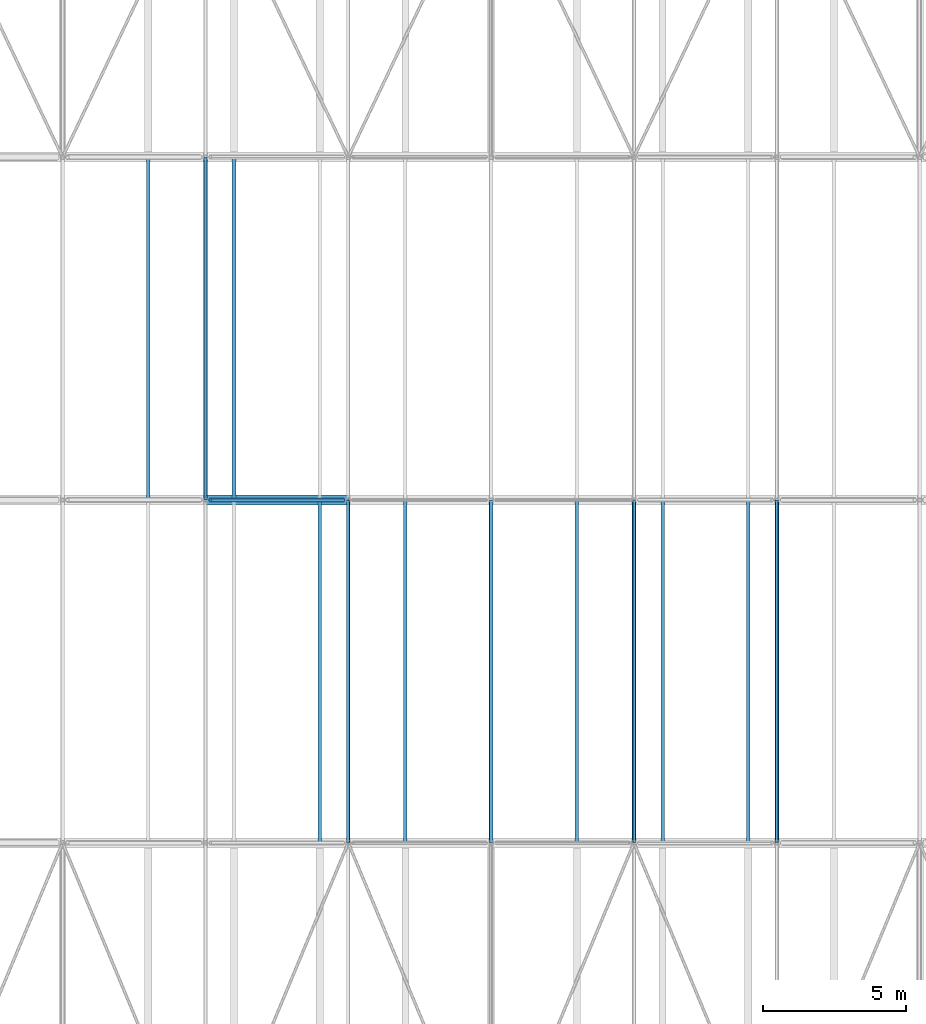
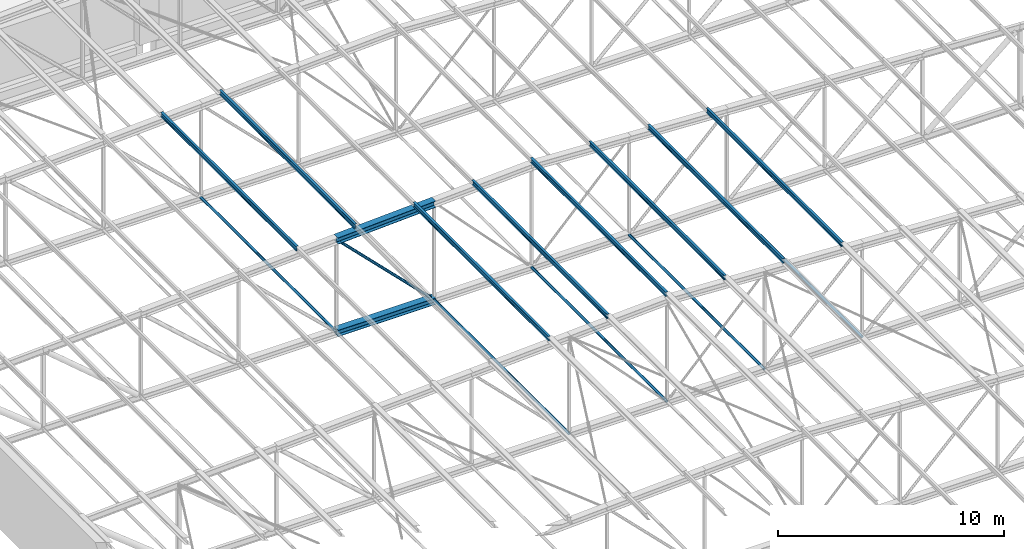
# One storey, part 108 of 156: 16 members.
"""IFC4 building model written with IfcOpenShell, lengths in metres."""

from ifc_helpers import new_model, si_unit, direction, frame, origin, origin_2d, place, context, subcontext, project, spatial, hollow_circle, i_section, extrude, material, material_profile, profile_set, type_object, element, save


model = new_model("IFC4")

# Units and contexts
model_context = context("Model", 3, precision=1e-05, world=origin(), true_north=direction((0.0, 1.0)))
body_context = subcontext(model_context, "Body", "Model", "MODEL_VIEW")
ifc_project = project(units=[si_unit("LENGTHUNIT", "METRE"), si_unit("AREAUNIT", "SQUARE_METRE"), si_unit("VOLUMEUNIT", "CUBIC_METRE"), si_unit("PLANEANGLEUNIT", "RADIAN"), si_unit("MASSUNIT", "GRAM", prefix="KILO")], contexts=[model_context])

# Site, building, storey
site_placement = place(None, origin())
site = spatial("IfcSite", under=ifc_project, at=site_placement, CompositionType="ELEMENT")
building_placement = place(site_placement, origin())
building = spatial("IfcBuilding", under=site, at=building_placement, Name="Lilac Gate Convention Centre", CompositionType="ELEMENT")
storey_placement = place(building_placement, frame((0.0, 0.0, 17.0)))
storey = spatial("IfcBuildingStorey", under=building, at=storey_placement, Name="L03", CompositionType="ELEMENT", Elevation=17.0)

# Members
ifc_material = material(Name="Steel Q355B", Category="steel")
ifc_material_profile_1 = material_profile(ifc_material, hollow_circle(Radius=0.06982421875, WallThickness=0.0048828125, at=origin_2d()), Name="CHS139.7x5")
ifc_profile_set_1 = profile_set([ifc_material_profile_1], Name="Steel Q355B")
member_type_1 = type_object("IfcMemberType", Name="Bottom chord tie CHS139.7x5", PredefinedType="STRUT", material=ifc_profile_set_1)
for number, where, z_axis, x_axis, name in (
    (1, (55.0, 186.009521484375, 0.0), (0.0, 1.0, 0.0), (-1.0, 0.0, 0.0), "ST1 tie bay 14 node 6"),
    (2, (60.0, 186.009521484375, 0.0), (0.0, 1.0, 0.0), (-1.0, 0.0, 0.0), "ST1 tie bay 14 node 7"),
    (3, (65.0, 186.009521484375, 0.0), (0.0, 1.0, 0.0), (-1.0, 0.0, 0.0), "ST1 tie bay 14 node 8"),
):
    element("IfcMember", number, at=place(storey_placement, frame(where, z_axis=z_axis, x_axis=x_axis)), inside=storey, type_object=member_type_1, Name=name, PredefinedType="STRUT", context=body_context, shape_type="SweptSolid", body=[
        extrude(hollow_circle(Radius=0.06982421875, WallThickness=0.0048828125, at=origin_2d()), origin(), (0.0, 0.0, 1.0), 11.98095703125),
    ])
for number, where, z_axis, x_axis, name in (
    (4, (70.0, 186.006103515625, 0.0), (0.0, 1.0, 0.0), (-1.0, 0.0, 0.0), "ST1 tie bay 14 node 9"),
    (5, (50.0, 198.006103515625, 0.0), (0.0, 1.0, 0.0), (-1.0, 0.0, 0.0), "ST1 tie bay 15 node 5"),
):
    element("IfcMember", number, at=place(storey_placement, frame(where, z_axis=z_axis, x_axis=x_axis)), inside=storey, type_object=member_type_1, Name=name, PredefinedType="STRUT", context=body_context, shape_type="SweptSolid", body=[
        extrude(hollow_circle(Radius=0.06982421875, WallThickness=0.0048828125, at=origin_2d()), origin(), (0.0, 0.0, 1.0), 11.98779296875),
    ])
ifc_material_profile_2 = material_profile(ifc_material, i_section(OverallWidth=0.125, OverallDepth=0.25, WebThickness=0.006103515625, FlangeThickness=0.009033203125, FilletRadius=0.008056640625, at=origin_2d()), Name="HN250x125x6x9")
ifc_profile_set_2 = profile_set([ifc_material_profile_2], Name="Steel Q355B")
member_type_2 = type_object("IfcMemberType", Name="Roof purlin HN250x125x6x9", PredefinedType="PURLIN", material=ifc_profile_set_2)
for number, where, z_axis, x_axis, name in (
    (6, (54.0, 186.0, 5.500244140625), (0.0, 1.0, 0.0), (-1.0, 0.0, 0.0), "PU2 purlin bay 14 line 9"),
    (7, (57.0, 186.0, 5.650146484375), (0.0, 1.0, 0.0), (-1.0, 0.0, 0.0), "PU2 purlin bay 14 line 10"),
    (8, (60.0, 186.0, 5.80029296875), (0.0, 1.0, 0.0), (-1.0, 0.0, 0.0), "PU2 purlin bay 14 line 11"),
    (9, (63.0, 186.0, 5.650146484375), (0.0, 1.0, 0.0), (-1.0, 0.0, 0.0), "PU2 purlin bay 14 line 12"),
    (10, (66.0, 186.0, 5.500244140625), (0.0, 1.0, 0.0), (-1.0, 0.0, 0.0), "PU2 purlin bay 14 line 13"),
    (11, (69.0, 186.0, 5.35009765625), (0.0, 1.0, 0.0), (-1.0, 0.0, 0.0), "PU2 purlin bay 14 line 14"),
    (12, (48.0, 198.0, 5.2001953125), (0.0, 1.0, 0.0), (-1.0, 0.0, 0.0), "PU2 purlin bay 15 line 7"),
    (13, (51.0, 198.0, 5.35009765625), (0.0, 1.0, 0.0), (-1.0, 0.0, 0.0), "PU2 purlin bay 15 line 8"),
):
    element("IfcMember", number, at=place(storey_placement, frame(where, z_axis=z_axis, x_axis=x_axis)), inside=storey, type_object=member_type_2, Name=name, PredefinedType="PURLIN", context=body_context, shape_type="SweptSolid", body=[
        extrude(i_section(OverallWidth=0.125, OverallDepth=0.25, WebThickness=0.006103515625, FlangeThickness=0.009033203125, FilletRadius=0.008056640625, at=origin_2d()), origin(), (0.0, 0.0, 1.0), 12.0),
    ])
ifc_material_profile_3 = material_profile(ifc_material, i_section(OverallWidth=0.35693359375, OverallDepth=0.35009765625, WebThickness=0.01904296875, FlangeThickness=0.01904296875, FilletRadius=0.012939453125, at=origin_2d()), Name="HW350x357x19x19")
ifc_profile_set_3 = profile_set([ifc_material_profile_3], Name="Steel Q355B")
member_type_3 = type_object("IfcMemberType", Name="Truss bottom chord HW350x357x19x19", PredefinedType="CHORD", material=ifc_profile_set_3)
member_1_placement = place(storey_placement, frame((50.0, 198.0, 0.0), z_axis=(1.0, 0.0, 0.0), x_axis=(0.0, 1.0, 0.0)))
element("IfcMember", 14, at=member_1_placement, inside=storey, type_object=member_type_3, Name="TB3 truss 15 bottom chord 5", PredefinedType="CHORD", context=body_context, shape_type="SweptSolid", body=[
    extrude(i_section(OverallWidth=0.35693359375, OverallDepth=0.35009765625, WebThickness=0.01904296875, FlangeThickness=0.01904296875, FilletRadius=0.012939453125, at=origin_2d()), origin(), (0.0, 0.0, 1.0), 5.0),
])
ifc_material_profile_4 = material_profile(ifc_material, hollow_circle(Radius=0.06982421875, WallThickness=0.006103515625, at=origin_2d()), Name="CHS139.7x6")
ifc_profile_set_4 = profile_set([ifc_material_profile_4], Name="Steel Q355B")
member_type_4 = type_object("IfcMemberType", Name="Truss diagonal CHS139.7x6", PredefinedType="BRACE", material=ifc_profile_set_4)
member_2_placement = place(storey_placement, frame((50.164306640625, 198.0, 4.835693359375), z_axis=(0.707106781187, 0.0, -0.707106781187), x_axis=(0.0, 1.0, 0.0)))
element("IfcMember", 15, at=member_2_placement, inside=storey, type_object=member_type_4, Name="TW5 truss 15 diagonal 5", PredefinedType="BRACE", context=body_context, shape_type="SweptSolid", body=[
    extrude(hollow_circle(Radius=0.06982421875, WallThickness=0.006103515625, at=origin_2d()), origin(), (0.0, 0.0, 1.0), 6.591064453125),
])
ifc_material_profile_5 = material_profile(ifc_material, i_section(OverallWidth=0.35009765625, OverallDepth=0.35009765625, WebThickness=0.011962890625, FlangeThickness=0.01904296875, FilletRadius=0.012939453125, at=origin_2d()), Name="HW350x350x12x19")
ifc_profile_set_5 = profile_set([ifc_material_profile_5], Name="Steel Q355B")
member_type_5 = type_object("IfcMemberType", Name="Truss top chord HW350x350x12x19", PredefinedType="CHORD", material=ifc_profile_set_5)
member_3_placement = place(storey_placement, frame((50.0, 198.0, 5.0), z_axis=(0.998752338878, 0.0, 0.049937616944), x_axis=(0.0, 1.0, 0.0)))
element("IfcMember", 16, at=member_3_placement, inside=storey, type_object=member_type_5, Name="TT2 truss 15 top chord 5", PredefinedType="CHORD", context=body_context, shape_type="SweptSolid", body=[
    extrude(i_section(OverallWidth=0.35009765625, OverallDepth=0.35009765625, WebThickness=0.011962890625, FlangeThickness=0.01904296875, FilletRadius=0.012939453125, at=origin_2d()), origin(), (0.0, 0.0, 1.0), 5.00634765625),
])

save(model, "model.ifc")
